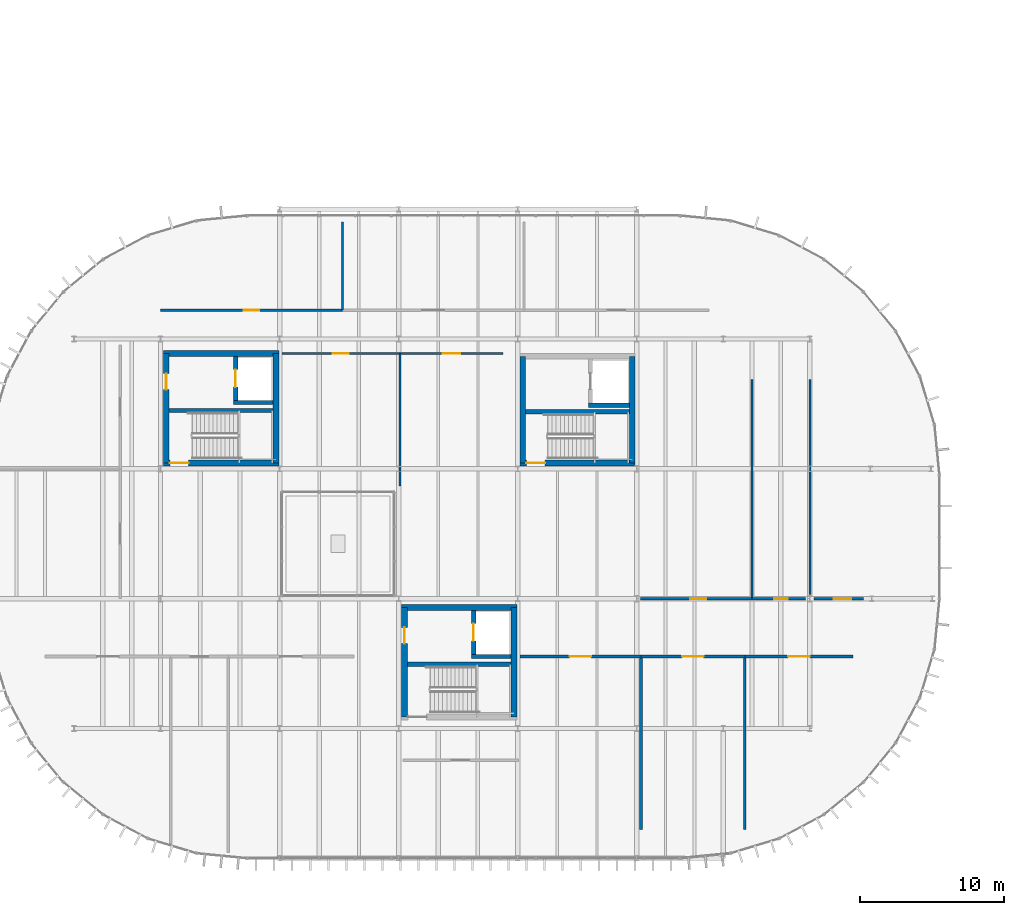
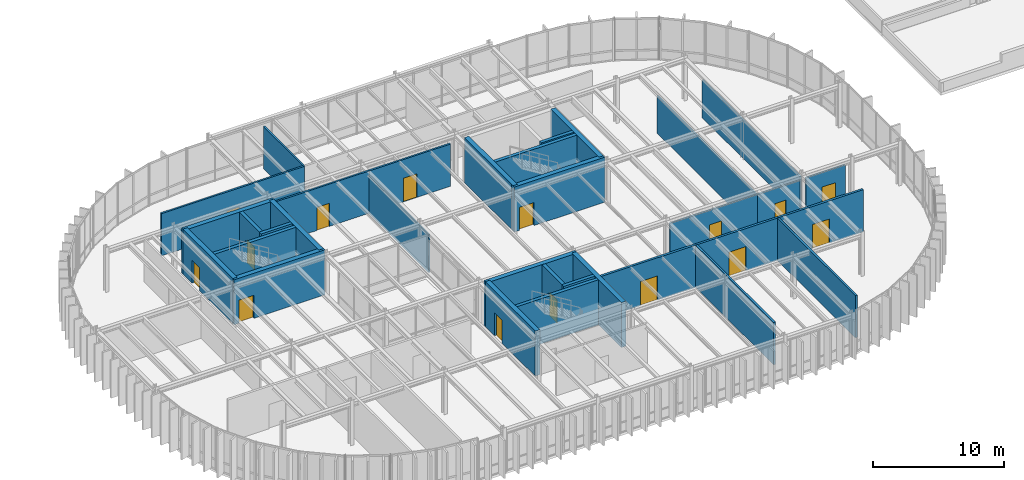
# One storey, part 21 of 31: 33 walls, 15 doors, 15 openings.
"""IFC4 building model written with IfcOpenShell, lengths in metres."""

from ifc_helpers import new_model, si_unit, direction, frame, frame_2d, origin, place, context, subcontext, project, spatial, rectangle, extrude, material, layer, layer_set, type_object, element, fill, save


model = new_model("IFC4")

# Units and contexts
model_context = context("Model", 3, precision=1e-05, world=origin(), true_north=direction((0.0, 1.0)))
body_context = subcontext(model_context, "Body", "Model", "MODEL_VIEW")
ifc_project = project(units=[si_unit("LENGTHUNIT", "METRE"), si_unit("AREAUNIT", "SQUARE_METRE"), si_unit("VOLUMEUNIT", "CUBIC_METRE"), si_unit("PLANEANGLEUNIT", "RADIAN"), si_unit("MASSUNIT", "GRAM", prefix="KILO")], contexts=[model_context])

# Site, building, storey
site_placement = place(None, origin())
site = spatial("IfcSite", under=ifc_project, at=site_placement, CompositionType="ELEMENT")
building_placement = place(site_placement, origin())
building = spatial("IfcBuilding", under=site, at=building_placement, Name="Montealbar Specialist Clinic", CompositionType="ELEMENT")
storey_placement = place(building_placement, frame((0.0, 0.0, 13.800048828125)))
storey = spatial("IfcBuildingStorey", under=building, at=storey_placement, Name="L03", CompositionType="ELEMENT", Elevation=13.800048828125)

# Walls
ifc_material_1 = material(Name="Concrete C35/45", Category="concrete")
ifc_layer_1 = layer(ifc_material_1, 0.300048828125, Name="Concrete C35/45", Category="concrete")
ifc_layer_set_1 = layer_set([ifc_layer_1], Name="Concrete C35/45")
wall_type_1 = type_object("IfcWallType", Name="WL-CORE-300", PredefinedType="SHEAR", material=ifc_layer_set_1)
wall_1_placement = place(storey_placement, frame((66.60009765625, 31.050048828125, 0.0), z_axis=(0.0, 0.0, 1.0), x_axis=(1.0, 0.0, 0.0)))
element("IfcWall", 1, at=wall_1_placement, inside=storey, type_object=wall_type_1, Name="Core C3 Stairwell Wall L03", PredefinedType="SHEAR", context=body_context, shape_type="SweptSolid", body=[
    extrude(rectangle(XDim=7.199951171875, YDim=0.300048828125, at=frame_2d((3.60009765625, 0.0))), origin(), (0.0, 0.0, 1.0), 4.199951171875),
])
wall_2_placement = place(storey_placement, frame((71.050048828125, 31.60009765625, 0.0), z_axis=(0.0, 0.0, 1.0), x_axis=(1.0, 0.0, 0.0)))
element("IfcWall", 2, at=wall_2_placement, inside=storey, type_object=wall_type_1, Name="Lift FL-01 Shaft Wall L03 LS", PredefinedType="SHEAR", context=body_context, shape_type="SweptSolid", body=[
    extrude(rectangle(XDim=2.75, YDim=0.300048828125, at=frame_2d((1.375, 0.0))), origin(), (0.0, 0.0, 1.0), 4.199951171875),
])

# Wall, opening, door
wall_3_placement = place(storey_placement, frame((71.199951171875, 31.75, 0.0), z_axis=(0.0, 0.0, 1.0), x_axis=(0.0, 1.0, 0.0)))
wall_3 = element("IfcWall", 3, at=wall_3_placement, inside=storey, type_object=wall_type_1, Name="Lift FL-01 Shaft Wall L03 LW", PredefinedType="SHEAR", context=body_context, shape_type="SweptSolid", body=[
    extrude(rectangle(XDim=3.050048828125, YDim=0.300048828125, at=frame_2d((1.52490234375, 0.0))), origin(), (0.0, 0.0, 1.0), 4.199951171875),
])
opening_1_placement = place(wall_3_placement, frame((0.925048828125, 0.0, 0.0)))
opening_1 = element("IfcOpeningElement", 4, at=opening_1_placement, cuts=wall_3, Name="Opening LD-12", PredefinedType="OPENING", context=body_context, shape_type="SweptSolid", body=[
    extrude(rectangle(XDim=1.199951171875, YDim=2.14990234375, at=frame_2d((0.60009765625, 1.074951171875))), frame((0.0, 0.159912109375, 0.0), z_axis=(0.0, -1.0, 0.0), x_axis=(1.0, 0.0, 0.0)), (0.0, 0.0, 1.0), 0.320068359375),
])
ifc_material_2 = material(Name="Steel S355", Category="steel")
door_type_1 = type_object("IfcDoorType", Name="DR-LIFT-LD1200", OperationType="DOUBLE_DOOR_SLIDING", PredefinedType="DOOR", material=ifc_material_2)
door_1_placement = place(opening_1_placement, origin())
door_1 = element("IfcDoor", 5, at=door_1_placement, inside=storey, type_object=door_type_1, Name="Lift FL-01 Sliding Landing Door L03", OperationType="DOUBLE_DOOR_SLIDING", OverallHeight=2.14990234375, OverallWidth=1.199951171875, PredefinedType="DOOR", context=body_context, shape_type="SweptSolid", body=[
    extrude(rectangle(XDim=1.199951171875, YDim=2.14990234375, at=frame_2d((0.60009765625, 1.074951171875))), frame((0.0, 0.02490234375, 0.0), z_axis=(0.0, -1.0, 0.0), x_axis=(1.0, 0.0, 0.0)), (0.0, 0.0, 1.0), 0.050048828125),
])
fill(opening_1, door_1)

# Walls
wall_4_placement = place(storey_placement, frame((83.10009765625, 13.449951171875, 0.0), z_axis=(0.0, 0.0, 1.0), x_axis=(1.0, 0.0, 0.0)))
element("IfcWall", 6, at=wall_4_placement, inside=storey, type_object=wall_type_1, Name="Core C4 Stairwell Wall L03", PredefinedType="SHEAR", context=body_context, shape_type="SweptSolid", body=[
    extrude(rectangle(XDim=7.199951171875, YDim=0.300048828125, at=frame_2d((3.60009765625, 0.0))), origin(), (0.0, 0.0, 1.0), 4.199951171875),
])
wall_5_placement = place(storey_placement, frame((87.550048828125, 14.0, 0.0), z_axis=(0.0, 0.0, 1.0), x_axis=(1.0, 0.0, 0.0)))
element("IfcWall", 7, at=wall_5_placement, inside=storey, type_object=wall_type_1, Name="Lift FL-02 Shaft Wall L03 LS", PredefinedType="SHEAR", context=body_context, shape_type="SweptSolid", body=[
    extrude(rectangle(XDim=2.75, YDim=0.300048828125, at=frame_2d((1.375, 0.0))), origin(), (0.0, 0.0, 1.0), 4.199951171875),
])

# Wall, opening, door
wall_6_placement = place(storey_placement, frame((87.699951171875, 14.14990234375, 0.0), z_axis=(0.0, 0.0, 1.0), x_axis=(0.0, 1.0, 0.0)))
wall_6 = element("IfcWall", 8, at=wall_6_placement, inside=storey, type_object=wall_type_1, Name="Lift FL-02 Shaft Wall L03 LW", PredefinedType="SHEAR", context=body_context, shape_type="SweptSolid", body=[
    extrude(rectangle(XDim=3.050048828125, YDim=0.300048828125, at=frame_2d((1.52490234375, 0.0))), origin(), (0.0, 0.0, 1.0), 4.199951171875),
])
opening_2_placement = place(wall_6_placement, frame((0.925048828125, 0.0, 0.0)))
opening_2 = element("IfcOpeningElement", 9, at=opening_2_placement, cuts=wall_6, Name="Opening LD-12", PredefinedType="OPENING", context=body_context, shape_type="SweptSolid", body=[
    extrude(rectangle(XDim=1.199951171875, YDim=2.14990234375, at=frame_2d((0.60009765625, 1.074951171875))), frame((0.0, 0.159912109375, 0.0), z_axis=(0.0, -1.0, 0.0), x_axis=(1.0, 0.0, 0.0)), (0.0, 0.0, 1.0), 0.320068359375),
])
door_2_placement = place(opening_2_placement, origin())
door_2 = element("IfcDoor", 10, at=door_2_placement, inside=storey, type_object=door_type_1, Name="Lift FL-02 Sliding Landing Door L03", OperationType="DOUBLE_DOOR_SLIDING", OverallHeight=2.14990234375, OverallWidth=1.199951171875, PredefinedType="DOOR", context=body_context, shape_type="SweptSolid", body=[
    extrude(rectangle(XDim=1.199951171875, YDim=2.14990234375, at=frame_2d((0.60009765625, 1.074951171875))), frame((0.0, 0.02490234375, 0.0), z_axis=(0.0, -1.0, 0.0), x_axis=(1.0, 0.0, 0.0)), (0.0, 0.0, 1.0), 0.050048828125),
])
fill(opening_2, door_2)

# Walls
wall_7_placement = place(storey_placement, frame((91.300048828125, 30.949951171875, 0.0), z_axis=(0.0, 0.0, 1.0), x_axis=(1.0, 0.0, 0.0)))
element("IfcWall", 11, at=wall_7_placement, inside=storey, type_object=wall_type_1, Name="Core C5 Stairwell Wall L03", PredefinedType="SHEAR", context=body_context, shape_type="SweptSolid", body=[
    extrude(rectangle(XDim=7.199951171875, YDim=0.300048828125, at=frame_2d((3.60009765625, 0.0))), origin(), (0.0, 0.0, 1.0), 4.199951171875),
])
wall_8_placement = place(storey_placement, frame((95.64990234375, 31.39990234375, 0.0), z_axis=(0.0, 0.0, 1.0), x_axis=(1.0, 0.0, 0.0)))
element("IfcWall", 12, at=wall_8_placement, inside=storey, type_object=wall_type_1, Name="Lift LF-03 Shaft Wall L03 LS", PredefinedType="SHEAR", context=body_context, shape_type="SweptSolid", body=[
    extrude(rectangle(XDim=2.85009765625, YDim=0.300048828125, at=frame_2d((1.425048828125, 0.0))), origin(), (0.0, 0.0, 1.0), 4.199951171875),
])

# Wall, opening, door
ifc_layer_2 = layer(ifc_material_1, 0.39990234375, Name="Concrete C35/45", Category="concrete")
ifc_layer_set_2 = layer_set([ifc_layer_2], Name="Concrete C35/45")
wall_type_2 = type_object("IfcWallType", Name="WL-CORE-400", PredefinedType="SHEAR", material=ifc_layer_set_2)
wall_9_placement = place(storey_placement, frame((66.199951171875, 27.39990234375, 0.0), z_axis=(0.0, 0.0, 1.0), x_axis=(1.0, 0.0, 0.0)))
wall_9 = element("IfcWall", 13, at=wall_9_placement, inside=storey, type_object=wall_type_2, Name="Core C3 Shear Wall L03 S", PredefinedType="SHEAR", context=body_context, shape_type="SweptSolid", body=[
    extrude(rectangle(XDim=8.0, YDim=0.39990234375, at=frame_2d((4.0, 0.0))), origin(), (0.0, 0.0, 1.0), 4.199951171875),
])
opening_3_placement = place(wall_9_placement, frame((0.449951171875, 0.0, 0.0)))
opening_3 = element("IfcOpeningElement", 14, at=opening_3_placement, cuts=wall_9, Name="Opening SD-13", PredefinedType="OPENING", context=body_context, shape_type="SweptSolid", body=[
    extrude(rectangle(XDim=1.300048828125, YDim=2.14990234375, at=frame_2d((0.64990234375, 1.074951171875))), frame((0.0, 0.2099609375, 0.0), z_axis=(0.0, -1.0, 0.0), x_axis=(1.0, 0.0, 0.0)), (0.0, 0.0, 1.0), 0.419921875),
])
door_type_2 = type_object("IfcDoorType", Name="DR-STAIR-W1300", OperationType="NOTDEFINED", PredefinedType="DOOR", material=ifc_material_2)
door_3_placement = place(opening_3_placement, frame((1.300048828125, 0.0, 0.0), z_axis=(0.0, 0.0, 1.0), x_axis=(-1.0, 0.0, 0.0)))
door_3 = element("IfcDoor", 15, at=door_3_placement, inside=storey, type_object=door_type_2, Name="Protected Core C3 Stair Fire Door L03", OperationType="SINGLE_SWING_RIGHT", OverallHeight=2.14990234375, OverallWidth=1.300048828125, PredefinedType="DOOR", context=body_context, shape_type="SweptSolid", body=[
    extrude(rectangle(XDim=1.300048828125, YDim=2.14990234375, at=frame_2d((0.64990234375, 1.074951171875))), frame((0.0, 0.02490234375, 0.0), z_axis=(0.0, -1.0, 0.0), x_axis=(1.0, 0.0, 0.0)), (0.0, 0.0, 1.0), 0.050048828125),
])
fill(opening_3, door_3)

# Wall
wall_10_placement = place(storey_placement, frame((66.199951171875, 35.0, 0.0), z_axis=(0.0, 0.0, 1.0), x_axis=(1.0, 0.0, 0.0)))
element("IfcWall", 16, at=wall_10_placement, inside=storey, type_object=wall_type_2, Name="Core C3 Shear Wall L03 N", PredefinedType="SHEAR", context=body_context, shape_type="SweptSolid", body=[
    extrude(rectangle(XDim=8.0, YDim=0.39990234375, at=frame_2d((4.0, 0.0))), origin(), (0.0, 0.0, 1.0), 4.199951171875),
])

# Wall, opening, door
wall_11_placement = place(storey_placement, frame((66.39990234375, 27.39990234375, 0.0), z_axis=(0.0, 0.0, 1.0), x_axis=(0.0, 1.0, 0.0)))
wall_11 = element("IfcWall", 17, at=wall_11_placement, inside=storey, type_object=wall_type_2, Name="Core C3 Shear Wall L03 W", PredefinedType="SHEAR", context=body_context, shape_type="SweptSolid", body=[
    extrude(rectangle(XDim=7.60009765625, YDim=0.39990234375, at=frame_2d((3.800048828125, 0.0))), origin(), (0.0, 0.0, 1.0), 4.199951171875),
])
opening_4_placement = place(wall_11_placement, frame((5.090087890625, 0.0, 0.0)))
opening_4 = element("IfcOpeningElement", 18, at=opening_4_placement, cuts=wall_11, Name="Opening FD-110", PredefinedType="OPENING", context=body_context, shape_type="SweptSolid", body=[
    extrude(rectangle(XDim=1.1201171875, YDim=2.14990234375, at=frame_2d((0.56005859375, 1.074951171875))), frame((0.0, 0.2099609375, 0.0), z_axis=(0.0, -1.0, 0.0), x_axis=(1.0, 0.0, 0.0)), (0.0, 0.0, 1.0), 0.419921875),
])
door_type_3 = type_object("IfcDoorType", Name="DR-FIRE-W1100", OperationType="NOTDEFINED", PredefinedType="DOOR", material=ifc_material_2)
door_4_placement = place(opening_4_placement, origin())
door_4 = element("IfcDoor", 19, at=door_4_placement, inside=storey, type_object=door_type_3, Name="Firefighting Lobby C3 Entrance Door L03", OperationType="SINGLE_SWING_RIGHT", OverallHeight=2.14990234375, OverallWidth=1.1201171875, PredefinedType="DOOR", context=body_context, shape_type="SweptSolid", body=[
    extrude(rectangle(XDim=1.1201171875, YDim=2.14990234375, at=frame_2d((0.56005859375, 1.074951171875))), frame((0.0, 0.02490234375, 0.0), z_axis=(0.0, -1.0, 0.0), x_axis=(1.0, 0.0, 0.0)), (0.0, 0.0, 1.0), 0.050048828125),
])
fill(opening_4, door_4)

# Walls
wall_12_placement = place(storey_placement, frame((74.0, 27.39990234375, 0.0), z_axis=(0.0, 0.0, 1.0), x_axis=(0.0, 1.0, 0.0)))
element("IfcWall", 20, at=wall_12_placement, inside=storey, type_object=wall_type_2, Name="Core C3 Shear Wall L03 E", PredefinedType="SHEAR", context=body_context, shape_type="SweptSolid", body=[
    extrude(rectangle(XDim=7.60009765625, YDim=0.39990234375, at=frame_2d((3.800048828125, 0.0))), origin(), (0.0, 0.0, 1.0), 4.199951171875),
])
wall_13_placement = place(storey_placement, frame((82.699951171875, 17.39990234375, 0.0), z_axis=(0.0, 0.0, 1.0), x_axis=(1.0, 0.0, 0.0)))
element("IfcWall", 21, at=wall_13_placement, inside=storey, type_object=wall_type_2, Name="Core C4 Shear Wall L03 N", PredefinedType="SHEAR", context=body_context, shape_type="SweptSolid", body=[
    extrude(rectangle(XDim=8.0, YDim=0.39990234375, at=frame_2d((4.0, 0.0))), origin(), (0.0, 0.0, 1.0), 4.199951171875),
])

# Wall, opening, door
wall_14_placement = place(storey_placement, frame((82.89990234375, 9.800048828125, 0.0), z_axis=(0.0, 0.0, 1.0), x_axis=(0.0, 1.0, 0.0)))
wall_14 = element("IfcWall", 22, at=wall_14_placement, inside=storey, type_object=wall_type_2, Name="Core C4 Shear Wall L03 W", PredefinedType="SHEAR", context=body_context, shape_type="SweptSolid", body=[
    extrude(rectangle(XDim=7.599853515625, YDim=0.39990234375, at=frame_2d((3.7998046875, 0.0))), origin(), (0.0, 0.0, 1.0), 4.199951171875),
])
opening_5_placement = place(wall_14_placement, frame((5.090087890625, 0.0, 0.0)))
opening_5 = element("IfcOpeningElement", 23, at=opening_5_placement, cuts=wall_14, Name="Opening FD-110", PredefinedType="OPENING", context=body_context, shape_type="SweptSolid", body=[
    extrude(rectangle(XDim=1.1201171875, YDim=2.14990234375, at=frame_2d((0.56005859375, 1.074951171875))), frame((0.0, 0.2099609375, 0.0), z_axis=(0.0, -1.0, 0.0), x_axis=(1.0, 0.0, 0.0)), (0.0, 0.0, 1.0), 0.419921875),
])
door_5_placement = place(opening_5_placement, origin())
door_5 = element("IfcDoor", 24, at=door_5_placement, inside=storey, type_object=door_type_3, Name="Firefighting Lobby C4 Entrance Door L03", OperationType="SINGLE_SWING_RIGHT", OverallHeight=2.14990234375, OverallWidth=1.1201171875, PredefinedType="DOOR", context=body_context, shape_type="SweptSolid", body=[
    extrude(rectangle(XDim=1.1201171875, YDim=2.14990234375, at=frame_2d((0.56005859375, 1.074951171875))), frame((0.0, 0.02490234375, 0.0), z_axis=(0.0, -1.0, 0.0), x_axis=(1.0, 0.0, 0.0)), (0.0, 0.0, 1.0), 0.050048828125),
])
fill(opening_5, door_5)

# Wall
wall_15_placement = place(storey_placement, frame((90.5, 9.800048828125, 0.0), z_axis=(0.0, 0.0, 1.0), x_axis=(0.0, 1.0, 0.0)))
element("IfcWall", 25, at=wall_15_placement, inside=storey, type_object=wall_type_2, Name="Core C4 Shear Wall L03 E", PredefinedType="SHEAR", context=body_context, shape_type="SweptSolid", body=[
    extrude(rectangle(XDim=7.599853515625, YDim=0.39990234375, at=frame_2d((3.7998046875, 0.0))), origin(), (0.0, 0.0, 1.0), 4.199951171875),
])

# Wall, opening, door
wall_16_placement = place(storey_placement, frame((90.89990234375, 27.39990234375, 0.0), z_axis=(0.0, 0.0, 1.0), x_axis=(1.0, 0.0, 0.0)))
wall_16 = element("IfcWall", 26, at=wall_16_placement, inside=storey, type_object=wall_type_2, Name="Core C5 Shear Wall L03 S", PredefinedType="SHEAR", context=body_context, shape_type="SweptSolid", body=[
    extrude(rectangle(XDim=8.0, YDim=0.39990234375, at=frame_2d((4.0, 0.0))), origin(), (0.0, 0.0, 1.0), 4.199951171875),
])
opening_6_placement = place(wall_16_placement, frame((0.449951171875, 0.0, 0.0)))
opening_6 = element("IfcOpeningElement", 27, at=opening_6_placement, cuts=wall_16, Name="Opening SD-13", PredefinedType="OPENING", context=body_context, shape_type="SweptSolid", body=[
    extrude(rectangle(XDim=1.300048828125, YDim=2.14990234375, at=frame_2d((0.64990234375, 1.074951171875))), frame((0.0, 0.2099609375, 0.0), z_axis=(0.0, -1.0, 0.0), x_axis=(1.0, 0.0, 0.0)), (0.0, 0.0, 1.0), 0.419921875),
])
door_6_placement = place(opening_6_placement, frame((1.300048828125, 0.0, 0.0), z_axis=(0.0, 0.0, 1.0), x_axis=(-1.0, 0.0, 0.0)))
door_6 = element("IfcDoor", 28, at=door_6_placement, inside=storey, type_object=door_type_2, Name="Protected Core C5 Stair Fire Door L03", OperationType="SINGLE_SWING_RIGHT", OverallHeight=2.14990234375, OverallWidth=1.300048828125, PredefinedType="DOOR", context=body_context, shape_type="SweptSolid", body=[
    extrude(rectangle(XDim=1.300048828125, YDim=2.14990234375, at=frame_2d((0.64990234375, 1.074951171875))), frame((0.0, 0.02490234375, 0.0), z_axis=(0.0, -1.0, 0.0), x_axis=(1.0, 0.0, 0.0)), (0.0, 0.0, 1.0), 0.050048828125),
])
fill(opening_6, door_6)

# Walls
for number, where, z_axis, x_axis, name in (
    (29, (91.10009765625, 27.39990234375, 0.0), (0.0, 0.0, 1.0), (0.0, 1.0, 0.0), "Core C5 Shear Wall L03 W"),
    (30, (98.699951171875, 27.39990234375, 0.0), (0.0, 0.0, 1.0), (0.0, 1.0, 0.0), "Core C5 Shear Wall L03 E"),
):
    element("IfcWall", number, at=place(storey_placement, frame(where, z_axis=z_axis, x_axis=x_axis)), inside=storey, type_object=wall_type_2, Name=name, PredefinedType="SHEAR", context=body_context, shape_type="SweptSolid", body=[
        extrude(rectangle(XDim=7.400146484375, YDim=0.39990234375, at=frame_2d((3.7001953125, 0.0))), origin(), (0.0, 0.0, 1.0), 4.199951171875),
    ])
ifc_material_3 = material(Name="Gypsum acoustic partition", Category="gypsum")
ifc_layer_3 = layer(ifc_material_3, 0.139892578125, Name="Gypsum acoustic partition", Category="gypsum")
ifc_layer_set_3 = layer_set([ifc_layer_3], Name="Gypsum acoustic partition")
wall_type_3 = type_object("IfcWallType", Name="WL-PART-ACOUSTIC-140", PredefinedType="PARTITIONING", material=ifc_layer_set_3)
wall_17_placement = place(storey_placement, frame((107.0, 18.0, 0.0), z_axis=(0.0, 0.0, 1.0), x_axis=(0.0, 1.0, 0.0)))
element("IfcWall", 31, at=wall_17_placement, inside=storey, type_object=wall_type_3, Name="Clinical Partition PART-L03-0176", PredefinedType="PARTITIONING", context=body_context, shape_type="SweptSolid", body=[
    extrude(rectangle(XDim=15.199951171875, YDim=0.139892578125, at=frame_2d((7.60009765625, 0.0))), origin(), (0.0, 0.0, 1.0), 3.449951171875),
])
wall_18_placement = place(storey_placement, frame((111.0, 18.280029296875, 0.0), z_axis=(0.0, 0.0, 1.0), x_axis=(0.0, 1.0, 0.0)))
element("IfcWall", 32, at=wall_18_placement, inside=storey, type_object=wall_type_3, Name="Clinical Partition PART-L03-0178", PredefinedType="PARTITIONING", context=body_context, shape_type="SweptSolid", body=[
    extrude(rectangle(XDim=14.919921875, YDim=0.139892578125, at=frame_2d((7.4599609375, 0.0))), origin(), (0.0, 0.0, 1.0), 3.5400390625),
])
wall_19_placement = place(storey_placement, frame((78.60009765625, 38.0, 0.0), z_axis=(0.0, 0.0, 1.0), x_axis=(0.0, 1.0, 0.0)))
element("IfcWall", 33, at=wall_19_placement, inside=storey, type_object=wall_type_3, Name="Clinical Partition PART-L03-0181", PredefinedType="PARTITIONING", context=body_context, shape_type="SweptSolid", body=[
    extrude(rectangle(XDim=6.10009765625, YDim=0.139892578125, at=frame_2d((3.050048828125, 0.0))), origin(), (0.0, 0.0, 1.0), 3.93994140625),
])
wall_20_placement = place(storey_placement, frame((82.60009765625, 25.800048828125, 0.0), z_axis=(0.0, 0.0, 1.0), x_axis=(0.0, 1.0, 0.0)))
element("IfcWall", 34, at=wall_20_placement, inside=storey, type_object=wall_type_3, Name="Clinical Partition PART-L03-0259", PredefinedType="PARTITIONING", context=body_context, shape_type="SweptSolid", body=[
    extrude(rectangle(XDim=9.199951171875, YDim=0.139892578125, at=frame_2d((4.60009765625, 0.0))), origin(), (0.0, 0.0, 1.0), 3.5400390625),
])
ifc_layer_4 = layer(ifc_material_3, 0.179931640625, Name="Gypsum acoustic partition", Category="gypsum")
ifc_layer_set_4 = layer_set([ifc_layer_4], Name="Gypsum acoustic partition")
wall_type_4 = type_object("IfcWallType", Name="WL-PART-CLEAN-180", PredefinedType="PARTITIONING", material=ifc_layer_set_4)
for number, where, z_axis, x_axis, name in (
    (35, (99.300048828125, 2.0, 0.0), (0.0, 0.0, 1.0), (0.0, 1.0, 0.0), "Clinical Partition PART-L03-0171"),
    (36, (106.5, 2.0, 0.0), (0.0, 0.0, 1.0), (0.0, 1.0, 0.0), "Clinical Partition PART-L03-0173"),
):
    element("IfcWall", number, at=place(storey_placement, frame(where, z_axis=z_axis, x_axis=x_axis)), inside=storey, type_object=wall_type_4, Name=name, PredefinedType="PARTITIONING", context=body_context, shape_type="SweptSolid", body=[
        extrude(rectangle(XDim=12.0, YDim=0.179931640625, at=frame_2d((6.0, 0.0))), origin(), (0.0, 0.0, 1.0), 3.93994140625),
    ])

# Wall, opening, door
ifc_layer_5 = layer(ifc_material_3, 0.159912109375, Name="Gypsum acoustic partition", Category="gypsum")
ifc_layer_set_5 = layer_set([ifc_layer_5], Name="Gypsum acoustic partition")
wall_type_5 = type_object("IfcWallType", Name="WL-PART-CLINIC-160", PredefinedType="PARTITIONING", material=ifc_layer_set_5)
wall_21_placement = place(storey_placement, frame((99.280029296875, 18.0, 0.0), z_axis=(0.0, 0.0, 1.0), x_axis=(1.0, 0.0, 0.0)))
wall_21 = element("IfcWall", 37, at=wall_21_placement, inside=storey, type_object=wall_type_5, Name="Clinical Partition PART-L03-0175", PredefinedType="PARTITIONING", context=body_context, shape_type="SweptSolid", body=[
    extrude(rectangle(XDim=7.719970703125, YDim=0.159912109375, at=frame_2d((3.85986328125, 0.0))), origin(), (0.0, 0.0, 1.0), 3.489990234375),
])
opening_7_placement = place(wall_21_placement, frame((3.449951171875, 0.0, 0.0)))
opening_7 = element("IfcOpeningElement", 38, at=opening_7_placement, cuts=wall_21, Name="Opening ID-110", PredefinedType="OPENING", context=body_context, shape_type="SweptSolid", body=[
    extrude(rectangle(XDim=1.10009765625, YDim=2.14990234375, at=frame_2d((0.550048828125, 1.074951171875))), frame((0.0, 0.08984375, 0.0), z_axis=(0.0, -1.0, 0.0), x_axis=(1.0, 0.0, 0.0)), (0.0, 0.0, 1.0), 0.179931640625),
])
ifc_material_4 = material(Name="Acoustic timber leaf", Category="wood")
door_type_4 = type_object("IfcDoorType", Name="DR-CLIN-W1100", OperationType="NOTDEFINED", PredefinedType="DOOR", material=ifc_material_4)
door_7_placement = place(opening_7_placement, frame((1.10009765625, 0.0, 0.0), z_axis=(0.0, 0.0, 1.0), x_axis=(-1.0, 0.0, 0.0)))
door_7 = element("IfcDoor", 39, at=door_7_placement, inside=storey, type_object=door_type_4, Name="Clinical Room Door IDR-L03-0113", OperationType="SINGLE_SWING_LEFT", OverallHeight=2.14990234375, OverallWidth=1.10009765625, PredefinedType="DOOR", context=body_context, shape_type="SweptSolid", body=[
    extrude(rectangle(XDim=1.10009765625, YDim=2.14990234375, at=frame_2d((0.550048828125, 1.074951171875))), frame((0.0, 0.02490234375, 0.0), z_axis=(0.0, -1.0, 0.0), x_axis=(1.0, 0.0, 0.0)), (0.0, 0.0, 1.0), 0.050048828125),
])
fill(opening_7, door_7)

wall_22_placement = place(storey_placement, frame((107.0, 18.0, 0.0), z_axis=(0.0, 0.0, 1.0), x_axis=(1.0, 0.0, 0.0)))
wall_22 = element("IfcWall", 40, at=wall_22_placement, inside=storey, type_object=wall_type_5, Name="Clinical Partition PART-L03-0177", PredefinedType="PARTITIONING", context=body_context, shape_type="SweptSolid", body=[
    extrude(rectangle(XDim=3.719970703125, YDim=0.159912109375, at=frame_2d((1.85986328125, 0.0))), origin(), (0.0, 0.0, 1.0), 3.489990234375),
])
opening_8_placement = place(wall_22_placement, frame((1.52490234375, 0.0, 0.0)))
opening_8 = element("IfcOpeningElement", 41, at=opening_8_placement, cuts=wall_22, Name="Opening ID-095", PredefinedType="OPENING", context=body_context, shape_type="SweptSolid", body=[
    extrude(rectangle(XDim=0.949951171875, YDim=2.10009765625, at=frame_2d((0.47509765625, 1.050048828125))), frame((0.0, 0.08984375, 0.0), z_axis=(0.0, -1.0, 0.0), x_axis=(1.0, 0.0, 0.0)), (0.0, 0.0, 1.0), 0.179931640625),
])
door_type_5 = type_object("IfcDoorType", Name="DR-WC-W0950", OperationType="NOTDEFINED", PredefinedType="DOOR", material=ifc_material_4)
door_8_placement = place(opening_8_placement, frame((0.949951171875, 0.0, 0.0), z_axis=(0.0, 0.0, 1.0), x_axis=(-1.0, 0.0, 0.0)))
door_8 = element("IfcDoor", 42, at=door_8_placement, inside=storey, type_object=door_type_5, Name="Clinical Room Door IDR-L03-0114", OperationType="SINGLE_SWING_RIGHT", OverallHeight=2.10009765625, OverallWidth=0.949951171875, PredefinedType="DOOR", context=body_context, shape_type="SweptSolid", body=[
    extrude(rectangle(XDim=0.949951171875, YDim=2.10009765625, at=frame_2d((0.47509765625, 1.050048828125))), frame((0.0, 0.02490234375, 0.0), z_axis=(0.0, -1.0, 0.0), x_axis=(1.0, 0.0, 0.0)), (0.0, 0.0, 1.0), 0.050048828125),
])
fill(opening_8, door_8)

wall_23_placement = place(storey_placement, frame((111.280029296875, 18.0, 0.0), z_axis=(0.0, 0.0, 1.0), x_axis=(1.0, 0.0, 0.0)))
wall_23 = element("IfcWall", 43, at=wall_23_placement, inside=storey, type_object=wall_type_5, Name="Clinical Partition PART-L03-0179", PredefinedType="PARTITIONING", context=body_context, shape_type="SweptSolid", body=[
    extrude(rectangle(XDim=3.43994140625, YDim=0.159912109375, at=frame_2d((1.719970703125, 0.0))), origin(), (0.0, 0.0, 1.0), 3.5400390625),
])
opening_9_placement = place(wall_23_placement, frame((1.39990234375, 0.0, 0.0)))
opening_9 = element("IfcOpeningElement", 44, at=opening_9_placement, cuts=wall_23, Name="Opening ID-120", PredefinedType="OPENING", context=body_context, shape_type="SweptSolid", body=[
    extrude(rectangle(XDim=1.199951171875, YDim=2.199951171875, at=frame_2d((0.60009765625, 1.10009765625))), frame((0.0, 0.08984375, 0.0), z_axis=(0.0, -1.0, 0.0), x_axis=(1.0, 0.0, 0.0)), (0.0, 0.0, 1.0), 0.179931640625),
])
door_type_6 = type_object("IfcDoorType", Name="DR-CLIN-W1200", OperationType="NOTDEFINED", PredefinedType="DOOR", material=ifc_material_4)
door_9_placement = place(opening_9_placement, frame((1.199951171875, 0.0, 0.0), z_axis=(0.0, 0.0, 1.0), x_axis=(-1.0, 0.0, 0.0)))
door_9 = element("IfcDoor", 45, at=door_9_placement, inside=storey, type_object=door_type_6, Name="Clinical Room Door IDR-L03-0115", OperationType="SINGLE_SWING_LEFT", OverallHeight=2.199951171875, OverallWidth=1.199951171875, PredefinedType="DOOR", context=body_context, shape_type="SweptSolid", body=[
    extrude(rectangle(XDim=1.199951171875, YDim=2.199951171875, at=frame_2d((0.60009765625, 1.10009765625))), frame((0.0, 0.02490234375, 0.0), z_axis=(0.0, -1.0, 0.0), x_axis=(1.0, 0.0, 0.0)), (0.0, 0.0, 1.0), 0.050048828125),
])
fill(opening_9, door_9)

wall_24_placement = place(storey_placement, frame((66.0, 38.0, 0.0), z_axis=(0.0, 0.0, 1.0), x_axis=(1.0, 0.0, 0.0)))
wall_24 = element("IfcWall", 46, at=wall_24_placement, inside=storey, type_object=wall_type_5, Name="Clinical Partition PART-L03-0180", PredefinedType="PARTITIONING", context=body_context, shape_type="SweptSolid", body=[
    extrude(rectangle(XDim=12.60009765625, YDim=0.159912109375, at=frame_2d((6.300048828125, 0.0))), origin(), (0.0, 0.0, 1.0), 3.93994140625),
])
opening_10_placement = place(wall_24_placement, frame((5.75, 0.0, 0.0)))
opening_10 = element("IfcOpeningElement", 47, at=opening_10_placement, cuts=wall_24, Name="Opening ID-110", PredefinedType="OPENING", context=body_context, shape_type="SweptSolid", body=[
    extrude(rectangle(XDim=1.10009765625, YDim=2.14990234375, at=frame_2d((0.550048828125, 1.074951171875))), frame((0.0, 0.08984375, 0.0), z_axis=(0.0, -1.0, 0.0), x_axis=(1.0, 0.0, 0.0)), (0.0, 0.0, 1.0), 0.179931640625),
])
door_10_placement = place(opening_10_placement, frame((1.10009765625, 0.0, 0.0), z_axis=(0.0, 0.0, 1.0), x_axis=(-1.0, 0.0, 0.0)))
door_10 = element("IfcDoor", 48, at=door_10_placement, inside=storey, type_object=door_type_4, Name="Clinical Room Door IDR-L03-0116", OperationType="SINGLE_SWING_RIGHT", OverallHeight=2.14990234375, OverallWidth=1.10009765625, PredefinedType="DOOR", context=body_context, shape_type="SweptSolid", body=[
    extrude(rectangle(XDim=1.10009765625, YDim=2.14990234375, at=frame_2d((0.550048828125, 1.074951171875))), frame((0.0, 0.02490234375, 0.0), z_axis=(0.0, -1.0, 0.0), x_axis=(1.0, 0.0, 0.0)), (0.0, 0.0, 1.0), 0.050048828125),
])
fill(opening_10, door_10)

wall_25_placement = place(storey_placement, frame((74.39990234375, 35.0, 0.0), z_axis=(0.0, 0.0, 1.0), x_axis=(1.0, 0.0, 0.0)))
wall_25 = element("IfcWall", 49, at=wall_25_placement, inside=storey, type_object=wall_type_5, Name="Clinical Partition PART-L03-0258", PredefinedType="PARTITIONING", context=body_context, shape_type="SweptSolid", body=[
    extrude(rectangle(XDim=8.2001953125, YDim=0.159912109375, at=frame_2d((4.10009765625, 0.0))), origin(), (0.0, 0.0, 1.0), 3.93994140625),
])
opening_11_placement = place(wall_25_placement, frame((3.550048828125, 0.0, 0.0)))
opening_11 = element("IfcOpeningElement", 50, at=opening_11_placement, cuts=wall_25, Name="Opening ID-110", PredefinedType="OPENING", context=body_context, shape_type="SweptSolid", body=[
    extrude(rectangle(XDim=1.10009765625, YDim=2.14990234375, at=frame_2d((0.550048828125, 1.074951171875))), frame((0.0, 0.08984375, 0.0), z_axis=(0.0, -1.0, 0.0), x_axis=(1.0, 0.0, 0.0)), (0.0, 0.0, 1.0), 0.179931640625),
])
door_11_placement = place(opening_11_placement, origin())
door_11 = element("IfcDoor", 51, at=door_11_placement, inside=storey, type_object=door_type_4, Name="Clinical Room Door IDR-L03-0167", OperationType="SINGLE_SWING_LEFT", OverallHeight=2.14990234375, OverallWidth=1.10009765625, PredefinedType="DOOR", context=body_context, shape_type="SweptSolid", body=[
    extrude(rectangle(XDim=1.10009765625, YDim=2.14990234375, at=frame_2d((0.550048828125, 1.074951171875))), frame((0.0, 0.02490234375, 0.0), z_axis=(0.0, -1.0, 0.0), x_axis=(1.0, 0.0, 0.0)), (0.0, 0.0, 1.0), 0.050048828125),
])
fill(opening_11, door_11)

wall_26_placement = place(storey_placement, frame((82.60009765625, 35.0, 0.0), z_axis=(0.0, 0.0, 1.0), x_axis=(1.0, 0.0, 0.0)))
wall_26 = element("IfcWall", 52, at=wall_26_placement, inside=storey, type_object=wall_type_5, Name="Clinical Partition PART-L03-0260", PredefinedType="PARTITIONING", context=body_context, shape_type="SweptSolid", body=[
    extrude(rectangle(XDim=7.14990234375, YDim=0.159912109375, at=frame_2d((3.574951171875, 0.0))), origin(), (0.0, 0.0, 1.0), 3.93994140625),
])
opening_12_placement = place(wall_26_placement, frame((2.97509765625, 0.0, 0.0)))
opening_12 = element("IfcOpeningElement", 53, at=opening_12_placement, cuts=wall_26, Name="Opening ID-120", PredefinedType="OPENING", context=body_context, shape_type="SweptSolid", body=[
    extrude(rectangle(XDim=1.199951171875, YDim=2.199951171875, at=frame_2d((0.60009765625, 1.10009765625))), frame((0.0, 0.08984375, 0.0), z_axis=(0.0, -1.0, 0.0), x_axis=(1.0, 0.0, 0.0)), (0.0, 0.0, 1.0), 0.179931640625),
])
door_12_placement = place(opening_12_placement, origin())
door_12 = element("IfcDoor", 54, at=door_12_placement, inside=storey, type_object=door_type_6, Name="Clinical Room Door IDR-L03-0168", OperationType="SINGLE_SWING_RIGHT", OverallHeight=2.199951171875, OverallWidth=1.199951171875, PredefinedType="DOOR", context=body_context, shape_type="SweptSolid", body=[
    extrude(rectangle(XDim=1.199951171875, YDim=2.199951171875, at=frame_2d((0.60009765625, 1.10009765625))), frame((0.0, 0.02490234375, 0.0), z_axis=(0.0, -1.0, 0.0), x_axis=(1.0, 0.0, 0.0)), (0.0, 0.0, 1.0), 0.050048828125),
])
fill(opening_12, door_12)

ifc_material_5 = material(Name="Concrete C30/37", Category="concrete")
ifc_layer_6 = layer(ifc_material_5, 0.199951171875, Name="Concrete C30/37", Category="concrete")
ifc_layer_set_6 = layer_set([ifc_layer_6], Name="Concrete C30/37")
wall_type_6 = type_object("IfcWallType", Name="WL-PART-FIRE-200", PredefinedType="PARTITIONING", material=ifc_layer_set_6)
wall_27_placement = place(storey_placement, frame((90.89990234375, 14.0, 0.0), z_axis=(0.0, 0.0, 1.0), x_axis=(1.0, 0.0, 0.0)))
wall_27 = element("IfcWall", 55, at=wall_27_placement, inside=storey, type_object=wall_type_6, Name="Clinical Partition PART-L03-0170", PredefinedType="PARTITIONING", context=body_context, shape_type="SweptSolid", body=[
    extrude(rectangle(XDim=8.400146484375, YDim=0.199951171875, at=frame_2d((4.2001953125, 0.0))), origin(), (0.0, 0.0, 1.0), 3.93994140625),
])
opening_13_placement = place(wall_27_placement, frame((3.449951171875, 0.0, 0.0)))
opening_13 = element("IfcOpeningElement", 56, at=opening_13_placement, cuts=wall_27, Name="Opening ID-150", PredefinedType="OPENING", context=body_context, shape_type="SweptSolid", body=[
    extrude(rectangle(XDim=1.5, YDim=2.25, at=frame_2d((0.75, 1.125))), frame((0.0, 0.10986328125, 0.0), z_axis=(0.0, -1.0, 0.0), x_axis=(1.0, 0.0, 0.0)), (0.0, 0.0, 1.0), 0.219970703125),
])
door_type_7 = type_object("IfcDoorType", Name="DR-OR-W1500", OperationType="SLIDING_TO_LEFT", PredefinedType="DOOR", material=ifc_material_4)
door_13_placement = place(opening_13_placement, origin())
door_13 = element("IfcDoor", 57, at=door_13_placement, inside=storey, type_object=door_type_7, Name="Clinical Room Door IDR-L03-0110", OperationType="SLIDING_TO_LEFT", OverallHeight=2.25, OverallWidth=1.5, PredefinedType="DOOR", context=body_context, shape_type="SweptSolid", body=[
    extrude(rectangle(XDim=1.5, YDim=2.25, at=frame_2d((0.75, 1.125))), frame((0.0, 0.02490234375, 0.0), z_axis=(0.0, -1.0, 0.0), x_axis=(1.0, 0.0, 0.0)), (0.0, 0.0, 1.0), 0.050048828125),
])
fill(opening_13, door_13)

wall_28_placement = place(storey_placement, frame((99.300048828125, 14.0, 0.0), z_axis=(0.0, 0.0, 1.0), x_axis=(1.0, 0.0, 0.0)))
wall_28 = element("IfcWall", 58, at=wall_28_placement, inside=storey, type_object=wall_type_6, Name="Clinical Partition PART-L03-0172", PredefinedType="PARTITIONING", context=body_context, shape_type="SweptSolid", body=[
    extrude(rectangle(XDim=7.199951171875, YDim=0.199951171875, at=frame_2d((3.60009765625, 0.0))), origin(), (0.0, 0.0, 1.0), 3.93994140625),
])
opening_14_placement = place(wall_28_placement, frame((2.85009765625, 0.0, 0.0)))
opening_14 = element("IfcOpeningElement", 59, at=opening_14_placement, cuts=wall_28, Name="Opening ID-150", PredefinedType="OPENING", context=body_context, shape_type="SweptSolid", body=[
    extrude(rectangle(XDim=1.5, YDim=2.25, at=frame_2d((0.75, 1.125))), frame((0.0, 0.10986328125, 0.0), z_axis=(0.0, -1.0, 0.0), x_axis=(1.0, 0.0, 0.0)), (0.0, 0.0, 1.0), 0.219970703125),
])
door_14_placement = place(opening_14_placement, origin())
door_14 = element("IfcDoor", 60, at=door_14_placement, inside=storey, type_object=door_type_7, Name="Clinical Room Door IDR-L03-0111", OperationType="SLIDING_TO_LEFT", OverallHeight=2.25, OverallWidth=1.5, PredefinedType="DOOR", context=body_context, shape_type="SweptSolid", body=[
    extrude(rectangle(XDim=1.5, YDim=2.25, at=frame_2d((0.75, 1.125))), frame((0.0, 0.02490234375, 0.0), z_axis=(0.0, -1.0, 0.0), x_axis=(1.0, 0.0, 0.0)), (0.0, 0.0, 1.0), 0.050048828125),
])
fill(opening_14, door_14)

wall_29_placement = place(storey_placement, frame((106.5, 14.0, 0.0), z_axis=(0.0, 0.0, 1.0), x_axis=(1.0, 0.0, 0.0)))
wall_29 = element("IfcWall", 61, at=wall_29_placement, inside=storey, type_object=wall_type_6, Name="Clinical Partition PART-L03-0174", PredefinedType="PARTITIONING", context=body_context, shape_type="SweptSolid", body=[
    extrude(rectangle(XDim=7.5, YDim=0.199951171875, at=frame_2d((3.75, 0.0))), origin(), (0.0, 0.0, 1.0), 3.93994140625),
])
opening_15_placement = place(wall_29_placement, frame((3.0, 0.0, 0.0)))
opening_15 = element("IfcOpeningElement", 62, at=opening_15_placement, cuts=wall_29, Name="Opening ID-150", PredefinedType="OPENING", context=body_context, shape_type="SweptSolid", body=[
    extrude(rectangle(XDim=1.5, YDim=2.25, at=frame_2d((0.75, 1.125))), frame((0.0, 0.10986328125, 0.0), z_axis=(0.0, -1.0, 0.0), x_axis=(1.0, 0.0, 0.0)), (0.0, 0.0, 1.0), 0.219970703125),
])
door_15_placement = place(opening_15_placement, origin())
door_15 = element("IfcDoor", 63, at=door_15_placement, inside=storey, type_object=door_type_7, Name="Clinical Room Door IDR-L03-0112", OperationType="SLIDING_TO_LEFT", OverallHeight=2.25, OverallWidth=1.5, PredefinedType="DOOR", context=body_context, shape_type="SweptSolid", body=[
    extrude(rectangle(XDim=1.5, YDim=2.25, at=frame_2d((0.75, 1.125))), frame((0.0, 0.02490234375, 0.0), z_axis=(0.0, -1.0, 0.0), x_axis=(1.0, 0.0, 0.0)), (0.0, 0.0, 1.0), 0.050048828125),
])
fill(opening_15, door_15)

save(model, "model.ifc")
